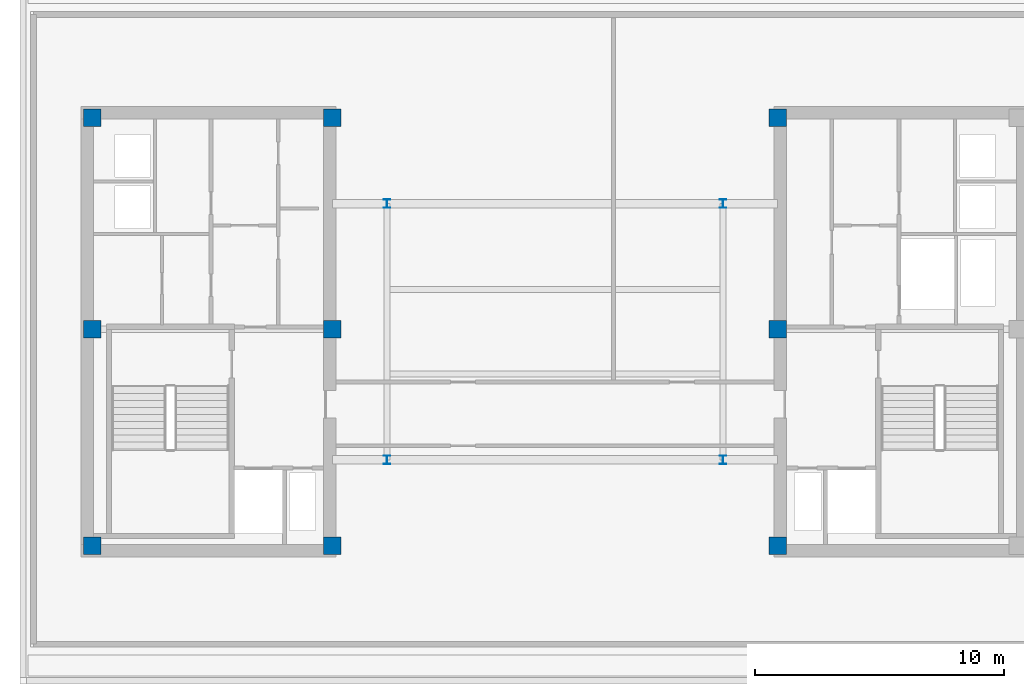
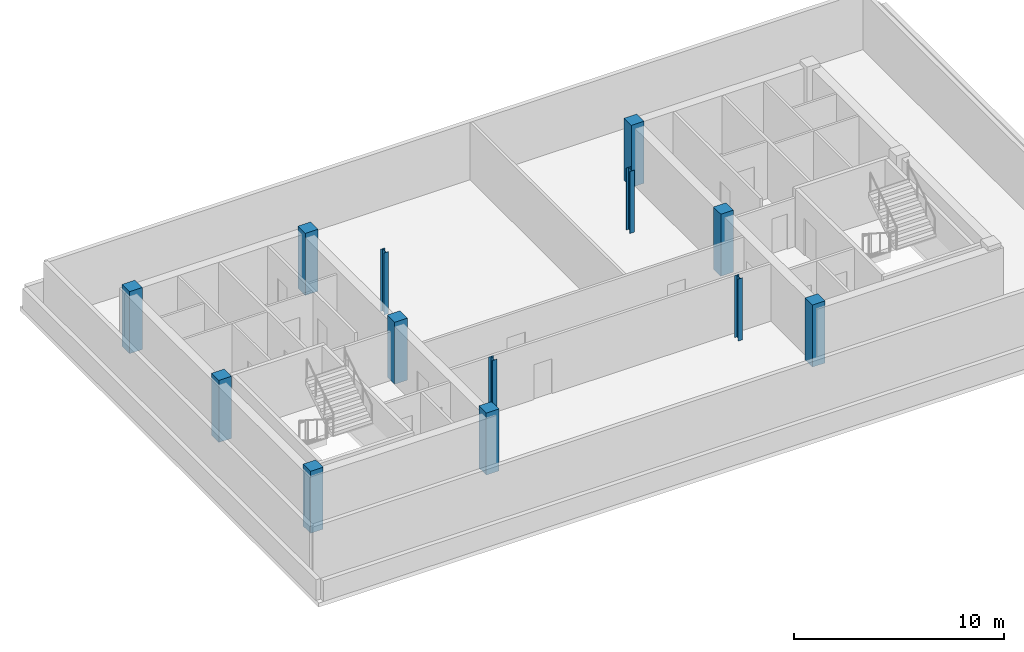
# One storey, part 1 of 7: 13 columns.
"""IFC4 building model written with IfcOpenShell, lengths in metres."""

import ifcopenshell
import ifcopenshell.guid

model = None  # the IFC model being written
_history = None  # IfcOwnerHistory: only IFC2X3 demands one
_inside = {}  # id of a spatial element -> (the spatial element, [elements in it])
_under = {}  # id of a project, library or spatial element -> (it, [spatial elements below it])
_declared = {}  # id of a project -> (the project, [libraries it declares])
_typed = {}  # id of a type object -> (the type object, [elements of that type])
_made_of = {}  # id of a material, layer set ... -> (it, [elements and type objects made of it])


def new_model(schema):
    """Start an empty IFC model of exactly this schema.

    Asked for "IFC4X3", IfcOpenShell would pick the latest addendum, in which some entities
    have other attributes; the version numbers below select the first issue.
    IFC2X3 requires an IfcOwnerHistory on every rooted entity: one is made here for all.
    """
    global model, _history
    if schema == "IFC4X3":
        model = ifcopenshell.file(schema_version=(4, 3, 0, 0))
    else:
        model = ifcopenshell.file(schema=schema)
    _inside.clear()
    _under.clear()
    _declared.clear()
    _typed.clear()
    _made_of.clear()
    _history = None
    if model.schema == "IFC2X3":
        org = make("IfcOrganization", Name="unknown")
        user = make(
            "IfcPersonAndOrganization",
            ThePerson=make("IfcPerson", FamilyName="unknown"),
            TheOrganization=org,
        )
        app = make(
            "IfcApplication",
            ApplicationDeveloper=org,
            Version="unknown",
            ApplicationFullName="unknown",
            ApplicationIdentifier="unknown",
        )
        _history = make(
            "IfcOwnerHistory",
            OwningUser=user,
            OwningApplication=app,
            ChangeAction="ADDED",
            CreationDate=0,
        )
    return model


def make(cls, **values):
    """One entity of the class cls with the attributes given. An attribute that is None is left unset."""
    return model.create_entity(
        cls, **{name: value for name, value in values.items() if value is not None}
    )


def rooted(cls, **values):
    """An entity with a GlobalId (a new one), such as an element, a storey or a relation."""
    return make(cls, GlobalId=ifcopenshell.guid.new(), OwnerHistory=_history, **values)


def si_unit(unit_type, name, prefix=None):
    """IfcSIUnit, for example si_unit("LENGTHUNIT", "METRE", prefix="MILLI")."""
    return make("IfcSIUnit", UnitType=unit_type, Prefix=prefix, Name=name)


def assignment(units):
    """IfcUnitAssignment: the units of a project."""
    return None if units is None else make("IfcUnitAssignment", Units=units)


def point(xyz):
    """IfcCartesianPoint."""
    return None if xyz is None else make("IfcCartesianPoint", Coordinates=xyz)


def direction(xyz):
    """IfcDirection."""
    return None if xyz is None else make("IfcDirection", DirectionRatios=xyz)


def frame(location, z_axis=None, x_axis=None):
    """IfcAxis2Placement3D, a coordinate frame: its origin and axes. An axis left out is left unset."""
    return make(
        "IfcAxis2Placement3D",
        Location=point(location),
        Axis=direction(z_axis),
        RefDirection=direction(x_axis),
    )


def frame_2d(location, x_axis=None):
    """IfcAxis2Placement2D, a coordinate frame in the plane: its origin and x axis."""
    return make(
        "IfcAxis2Placement2D", Location=point(location), RefDirection=direction(x_axis)
    )


def origin():
    """The frame at (0, 0, 0) with its axes left unset."""
    return frame((0.0, 0.0, 0.0))


def origin_2d():
    """The frame at (0, 0) in the plane with its x axis left unset."""
    return frame_2d((0.0, 0.0))


def place(relative_to, where):
    """IfcLocalPlacement: puts the frame where relative to a parent placement (None: the world)."""
    return make(
        "IfcLocalPlacement", PlacementRelTo=relative_to, RelativePlacement=where
    )


def context(
    kind, dimensions, precision=None, world=None, true_north=None, identifier=None
):
    """IfcGeometricRepresentationContext, for example the 3D "Model" context."""
    return make(
        "IfcGeometricRepresentationContext",
        ContextIdentifier=identifier,
        ContextType=kind,
        CoordinateSpaceDimension=dimensions,
        Precision=precision,
        WorldCoordinateSystem=world,
        TrueNorth=true_north,
    )


def subcontext(parent, identifier, kind, view, scale=None):
    """IfcGeometricRepresentationSubContext, for example "Body" below "Model"."""
    return make(
        "IfcGeometricRepresentationSubContext",
        ContextIdentifier=identifier,
        ContextType=kind,
        ParentContext=parent,
        TargetScale=scale,
        TargetView=view,
    )


def project(units=None, contexts=None):
    """IfcProject with its units and contexts."""
    return rooted(
        "IfcProject",
        Name="project",
        RepresentationContexts=contexts,
        UnitsInContext=assignment(units),
    )


def spatial(cls, under=None, at=None, **own):
    """A site, building, storey or space (cls), placed at a placement, below another one or the project."""
    s = rooted(cls, ObjectPlacement=at, **own)
    if under is not None:
        _under.setdefault(under.id(), (under, []))[1].append(s)
    return s


def profile(cls, at=None, kind="AREA", **sizes):
    """A parametric profile (cls). Its sizes go by their IFC names, for example OverallWidth=200.0."""
    return make(cls, ProfileType=kind, Position=at, **sizes)


def rectangle(**sizes):
    """IfcRectangleProfileDef."""
    return profile("IfcRectangleProfileDef", **sizes)


def i_section(**sizes):
    """IfcIShapeProfileDef."""
    return profile("IfcIShapeProfileDef", **sizes)


def extrude(swept, where, along, depth):
    """IfcExtrudedAreaSolid: the profile swept, set in the frame where, extruded along a direction by depth."""
    return make(
        "IfcExtrudedAreaSolid",
        SweptArea=swept,
        Position=where,
        ExtrudedDirection=direction(along),
        Depth=depth,
    )


def shape(context_of_items, identifier, shape_type, items):
    """IfcShapeRepresentation: the items that make up one representation, for example the "Body"."""
    return make(
        "IfcShapeRepresentation",
        ContextOfItems=context_of_items,
        RepresentationIdentifier=identifier,
        RepresentationType=shape_type,
        Items=items,
    )


def material(Name=None, Category=None):
    """IfcMaterial."""
    return make("IfcMaterial", Name=Name, Category=Category)


def material_profile(
    of_material, cross_section, Name=None, Category=None, Priority=None
):
    """IfcMaterialProfile: a cross section and its material."""
    return make(
        "IfcMaterialProfile",
        Name=Name,
        Material=of_material,
        Profile=cross_section,
        Priority=Priority,
        Category=Category,
    )


def profile_set(profiles, Name=None, composite=None):
    """IfcMaterialProfileSet."""
    return make(
        "IfcMaterialProfileSet",
        Name=Name,
        MaterialProfiles=profiles,
        CompositeProfile=composite,
    )


def made_of(thing, what):
    """Note that an element or type object is made of a material, layer set ...; save() writes the relation."""
    if what is not None:
        _made_of.setdefault(what.id(), (what, []))[1].append(thing)
    return thing


def type_object(cls, material=None, **own):
    """A type object (cls), such as IfcWallType, which elements share."""
    return made_of(rooted(cls, **own), material)


def element(
    cls,
    number,
    at=None,
    inside=None,
    cuts=None,
    type_object=None,
    material=None,
    context=None,
    identifier="Body",
    shape_type=None,
    held_by="IfcProductDefinitionShape",
    body=None,
    shapes=None,
    **own,
):
    """One element of the class cls, such as IfcWall. Its Tag is "e" and its number.

    at: its placement. inside: the storey or other place that contains it. cuts: it is an
    opening in that element (IfcRelVoidsElement). A single representation is given by context,
    identifier, shape_type and body (its items); several are given by shapes. held_by: the class
    of the entity that holds the representations. save() writes the other relations.
    """
    e = rooted(cls, Tag="e%d" % number, ObjectPlacement=at, **own)
    if body is not None:
        shapes = [shape(context, identifier, shape_type, body)]
    if shapes is not None:
        e.Representation = make(held_by, Representations=shapes)
    if inside is not None:
        _inside.setdefault(inside.id(), (inside, []))[1].append(e)
    if cuts is not None:
        rooted(
            "IfcRelVoidsElement", RelatingBuildingElement=cuts, RelatedOpeningElement=e
        )
    if type_object is not None:
        _typed.setdefault(type_object.id(), (type_object, []))[1].append(e)
    return made_of(e, material)


def aggregate(whole, parts):
    """IfcRelAggregates: a whole, such as a stair, and the parts it consists of."""
    return rooted("IfcRelAggregates", RelatingObject=whole, RelatedObjects=parts)


def save(model, path):
    """Write the relations noted so far, then the file.

    IfcRelAggregates (storeys below a building ...), IfcRelContainedInSpatialStructure (elements
    in a storey), IfcRelDefinesByType, IfcRelAssociatesMaterial and IfcRelDeclares: one each for
    every whole, place, type object, material and project.
    """
    for whole, parts in _under.values():
        aggregate(whole, parts)
    for where, things in _inside.values():
        rooted(
            "IfcRelContainedInSpatialStructure",
            RelatedElements=things,
            RelatingStructure=where,
        )
    for kind, things in _typed.values():
        rooted("IfcRelDefinesByType", RelatedObjects=things, RelatingType=kind)
    for what, things in _made_of.values():
        rooted("IfcRelAssociatesMaterial", RelatedObjects=things, RelatingMaterial=what)
    for by, libraries in _declared.values():
        rooted("IfcRelDeclares", RelatingContext=by, RelatedDefinitions=libraries)
    model.write(path)


model = new_model("IFC4")

# Units and contexts
model_context = context("Model", 3, precision=1e-05, world=origin(), true_north=direction((0.0, 1.0)))
body_context = subcontext(model_context, "Body", "Model", "MODEL_VIEW")
ifc_project = project(units=[si_unit("LENGTHUNIT", "METRE"), si_unit("AREAUNIT", "SQUARE_METRE"), si_unit("VOLUMEUNIT", "CUBIC_METRE"), si_unit("PLANEANGLEUNIT", "RADIAN"), si_unit("MASSUNIT", "GRAM", prefix="KILO")], contexts=[model_context])

# Site, building, storey
site_placement = place(None, origin())
site = spatial("IfcSite", under=ifc_project, at=site_placement, CompositionType="ELEMENT")
building_placement = place(site_placement, origin())
building = spatial("IfcBuilding", under=site, at=building_placement, Name="Velakula Bourse", CompositionType="ELEMENT")
storey_placement = place(building_placement, frame((0.0, 0.0, 294.14990234375)))
storey = spatial("IfcBuildingStorey", under=building, at=storey_placement, Name="L80", CompositionType="ELEMENT", Elevation=294.14990234375)

# Columns
ifc_material_1 = material(Name="Steel IS 2062 Grade 350 (E350)", Category="steel")
ifc_material_profile_1 = material_profile(ifc_material_1, i_section(OverallWidth=0.25, OverallDepth=0.35009765625, WebThickness=0.010009765625, FlangeThickness=0.01171875, at=origin_2d()), Name="Steel IS 2062 Grade 350 (E350)")
ifc_profile_set_1 = profile_set([ifc_material_profile_1], Name="Steel IS 2062 Grade 350 (E350)")
column_type_1 = type_object("IfcColumnType", Name="COL-CRN-350", PredefinedType="COLUMN", material=ifc_profile_set_1)
for number, where, z_axis, x_axis, name in (
    (1, (-6.75, -5.14990234375, 0.0), (0.0, 0.0, 1.0), (1.0, 0.0, 0.0), "L80 Central Spine Column 01"),
    (2, (-6.75, 5.14990234375, 0.0), (0.0, 0.0, 1.0), (1.0, 0.0, 0.0), "L80 Central Spine Column 02"),
    (3, (6.75, -5.14990234375, 0.0), (0.0, 0.0, 1.0), (1.0, 0.0, 0.0), "L80 Central Spine Column 03"),
    (4, (6.75, 5.14990234375, 0.0), (0.0, 0.0, 1.0), (1.0, 0.0, 0.0), "L80 Central Spine Column 04"),
):
    element("IfcColumn", number, at=place(storey_placement, frame(where, z_axis=z_axis, x_axis=x_axis)), inside=storey, type_object=column_type_1, Name=name, PredefinedType="COLUMN", context=body_context, shape_type="SweptSolid", body=[
        extrude(i_section(OverallWidth=0.25, OverallDepth=0.35009765625, WebThickness=0.010009765625, FlangeThickness=0.01171875, at=origin_2d()), origin(), (0.0, 0.0, 1.0), 3.60009765625),
    ])
ifc_material_2 = material(Name="Concrete M50 (fck 50 MPa)", Category="concrete")
ifc_material_profile_2 = material_profile(ifc_material_2, rectangle(XDim=0.699951171875, YDim=0.699951171875, at=origin_2d()), Name="Concrete M50 (fck 50 MPa)")
ifc_profile_set_2 = profile_set([ifc_material_profile_2], Name="Concrete M50 (fck 50 MPa)")
column_type_2 = type_object("IfcColumnType", Name="COL-RC-700", PredefinedType="COLUMN", material=ifc_profile_set_2)
for number, where, z_axis, x_axis, name in (
    (5, (-8.949951171875, -8.60009765625, 0.0), (0.0, 0.0, 1.0), (1.0, 0.0, 0.0), "L80 Core Boundary Column 01"),
    (6, (-8.949951171875, 0.10009765625, 0.0), (0.0, 0.0, 1.0), (1.0, 0.0, 0.0), "L80 Core Boundary Column 02"),
    (7, (-8.949951171875, 8.60009765625, 0.0), (0.0, 0.0, 1.0), (1.0, 0.0, 0.0), "L80 Core Boundary Column 03"),
    (8, (-18.60009765625, -8.60009765625, 0.0), (0.0, 0.0, 1.0), (1.0, 0.0, 0.0), "L80 Core Boundary Column 04"),
    (9, (-18.60009765625, 0.10009765625, 0.0), (0.0, 0.0, 1.0), (1.0, 0.0, 0.0), "L80 Core Boundary Column 05"),
    (10, (-18.60009765625, 8.60009765625, 0.0), (0.0, 0.0, 1.0), (1.0, 0.0, 0.0), "L80 Core Boundary Column 06"),
    (11, (8.949951171875, -8.60009765625, 0.0), (0.0, 0.0, 1.0), (1.0, 0.0, 0.0), "L80 Core Boundary Column 07"),
    (12, (8.949951171875, 0.10009765625, 0.0), (0.0, 0.0, 1.0), (1.0, 0.0, 0.0), "L80 Core Boundary Column 08"),
    (13, (8.949951171875, 8.60009765625, 0.0), (0.0, 0.0, 1.0), (1.0, 0.0, 0.0), "L80 Core Boundary Column 09"),
):
    element("IfcColumn", number, at=place(storey_placement, frame(where, z_axis=z_axis, x_axis=x_axis)), inside=storey, type_object=column_type_2, Name=name, PredefinedType="COLUMN", context=body_context, shape_type="SweptSolid", body=[
        extrude(rectangle(XDim=0.699951171875, YDim=0.699951171875, at=origin_2d()), origin(), (0.0, 0.0, 1.0), 3.60009765625),
    ])

save(model, "model.ifc")
